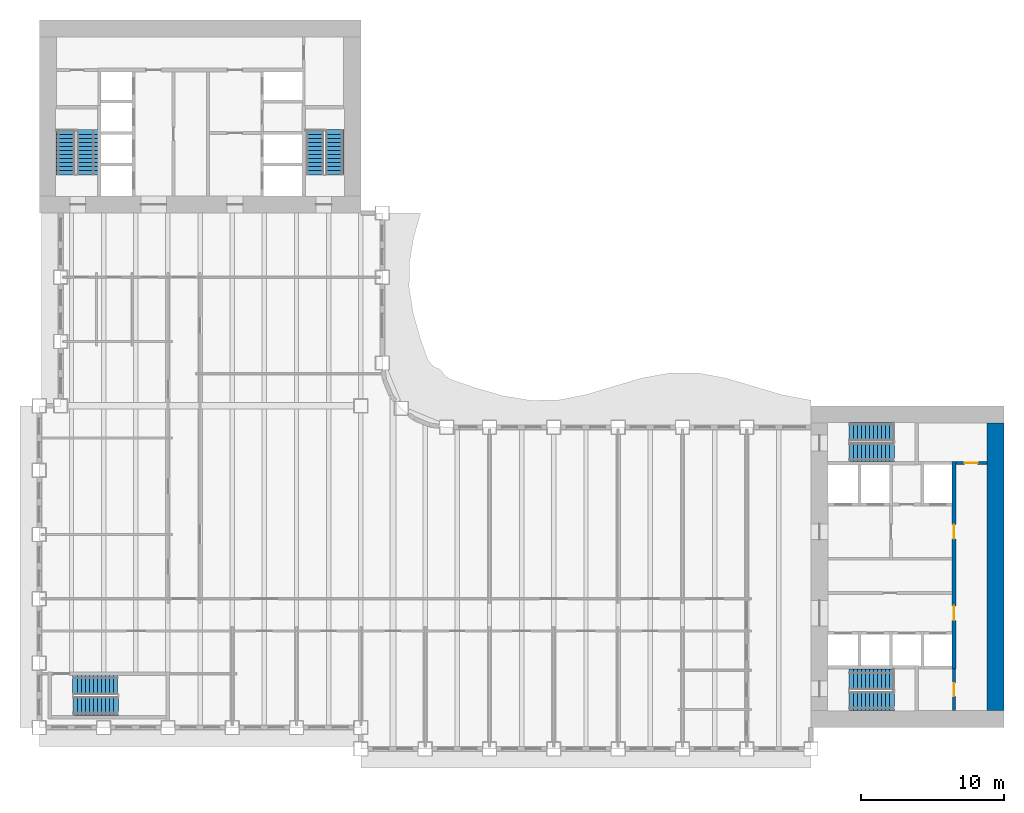
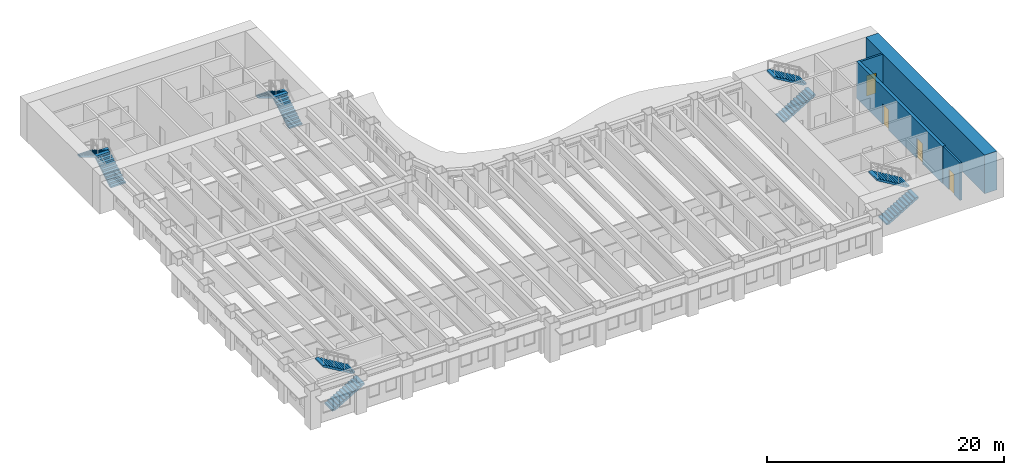
# One storey, part 10 of 16: 10 stair flights, 4 doors, 4 walls, 4 openings, 5 elements without a shape of their own.
"""IFC4 building model written with IfcOpenShell, lengths in metres."""

from ifc_helpers import new_model, si_unit, direction, frame, frame_2d, origin, place, context, subcontext, project, spatial, polyline, rectangle, outline, extrude, material, layer, layer_set, type_object, element, fill, aggregate, save


model = new_model("IFC4")

# Units and contexts
model_context = context("Model", 3, precision=1e-05, world=origin(), true_north=direction((0.0, 1.0)))
body_context = subcontext(model_context, "Body", "Model", "MODEL_VIEW")
ifc_project = project(units=[si_unit("LENGTHUNIT", "METRE"), si_unit("AREAUNIT", "SQUARE_METRE"), si_unit("VOLUMEUNIT", "CUBIC_METRE"), si_unit("PLANEANGLEUNIT", "RADIAN"), si_unit("MASSUNIT", "GRAM", prefix="KILO")], contexts=[model_context])

# Site, building, storey
site_placement = place(None, origin())
site = spatial("IfcSite", under=ifc_project, at=site_placement, CompositionType="ELEMENT")
building_placement = place(site_placement, origin())
building = spatial("IfcBuilding", under=site, at=building_placement, Name="Sennacour Bend Tower", CompositionType="ELEMENT")
storey_placement = place(building_placement, frame((0.0, 0.0, 107.0)))
storey = spatial("IfcBuildingStorey", under=building, at=storey_placement, Name="L24", CompositionType="ELEMENT", Elevation=107.0)

# Wall
ifc_material_1 = material(Name="Concrete C80/95", Category="concrete")
ifc_layer_1 = layer(ifc_material_1, 1.199951171875, Name="Concrete C80/95", Category="concrete")
ifc_layer_set_1 = layer_set([ifc_layer_1], Name="Concrete C80/95")
wall_type_1 = type_object("IfcWallType", Name="Core wall 1200 C80/95", PredefinedType="SHEAR", material=ifc_layer_set_1)
wall_1_placement = place(storey_placement, frame((66.89990234375, 1.199951171875, -0.14990234375), z_axis=(0.0, 0.0, 1.0), x_axis=(0.0, 1.0, 0.0)))
element("IfcWall", 1, at=wall_1_placement, inside=storey, type_object=wall_type_1, Name="Core A wall L24 E", PredefinedType="SHEAR", context=body_context, shape_type="SweptSolid", body=[
    extrude(rectangle(XDim=20.10009765625, YDim=1.199951171875, at=frame_2d((10.050048828125, 0.0))), origin(), (0.0, 0.0, 1.0), 4.0),
])

# Wall, opening, door
ifc_material_2 = material(Name="Fire-rated plasterboard partition on steel studs", Category="steel")
ifc_layer_2 = layer(ifc_material_2, 0.199951171875, Name="Fire-rated plasterboard partition on steel studs", Category="steel")
ifc_layer_set_2 = layer_set([ifc_layer_2], Name="Fire-rated plasterboard partition on steel studs")
wall_type_2 = type_object("IfcWallType", Name="Rated partition 200", PredefinedType="PARTITIONING", material=ifc_layer_set_2)
wall_2_placement = place(storey_placement, frame((64.0, 1.199951171875, 0.0), z_axis=(0.0, 0.0, 1.0), x_axis=(0.0, 1.0, 0.0)))
wall_2 = element("IfcWall", 2, at=wall_2_placement, inside=storey, type_object=wall_type_2, Name="P-L24-W044", PredefinedType="PARTITIONING", context=body_context, shape_type="SweptSolid", body=[
    extrude(rectangle(XDim=2.900146484375, YDim=0.199951171875, at=frame_2d((1.4501953125, 0.0))), origin(), (0.0, 0.0, 1.0), 3.85009765625),
])
opening_1_placement = place(wall_2_placement, frame((1.0, 0.0, 0.0)))
opening_1 = element("IfcOpeningElement", 3, at=opening_1_placement, cuts=wall_2, Name="Opening SV", PredefinedType="OPENING", context=body_context, shape_type="SweptSolid", body=[
    extrude(rectangle(XDim=0.89990234375, YDim=2.10009765625, at=frame_2d((0.449951171875, 1.050048828125))), frame((0.0, 0.10986328125, 0.0), z_axis=(0.0, -1.0, 0.0), x_axis=(1.0, 0.0, 0.0)), (0.0, 0.0, 1.0), 0.219970703125),
])
ifc_material_3 = material(Name="Painted steel", Category="steel")
door_type_1 = type_object("IfcDoorType", Name="DR-SERVICE-900", OperationType="NOTDEFINED", PredefinedType="DOOR", material=ifc_material_3)
door_1_placement = place(opening_1_placement, origin())
door_1 = element("IfcDoor", 4, at=door_1_placement, inside=storey, type_object=door_type_1, Name="Door", OperationType="SINGLE_SWING_LEFT", OverallHeight=2.10009765625, OverallWidth=0.89990234375, PredefinedType="DOOR", context=body_context, shape_type="SweptSolid", body=[
    extrude(rectangle(XDim=0.89990234375, YDim=2.10009765625, at=frame_2d((0.449951171875, 1.050048828125))), frame((0.0, 0.02490234375, 0.0), z_axis=(0.0, -1.0, 0.0), x_axis=(1.0, 0.0, 0.0)), (0.0, 0.0, 1.0), 0.050048828125),
])
fill(opening_1, door_1)

wall_3_placement = place(storey_placement, frame((64.14990234375, 18.5, 0.0), z_axis=(0.0, 0.0, 1.0), x_axis=(1.0, 0.0, 0.0)))
wall_3 = element("IfcWall", 5, at=wall_3_placement, inside=storey, type_object=wall_type_2, Name="P-L24-W067", PredefinedType="PARTITIONING", context=body_context, shape_type="SweptSolid", body=[
    extrude(rectangle(XDim=2.150146484375, YDim=0.199951171875, at=frame_2d((1.0751953125, 0.0))), origin(), (0.0, 0.0, 1.0), 3.85009765625),
])
opening_2_placement = place(wall_3_placement, frame((0.60009765625, 0.0, 0.0)))
opening_2 = element("IfcOpeningElement", 6, at=opening_2_placement, cuts=wall_3, Name="Opening SV", PredefinedType="OPENING", context=body_context, shape_type="SweptSolid", body=[
    extrude(rectangle(XDim=0.89990234375, YDim=2.10009765625, at=frame_2d((0.449951171875, 1.050048828125))), frame((0.0, 0.10986328125, 0.0), z_axis=(0.0, -1.0, 0.0), x_axis=(1.0, 0.0, 0.0)), (0.0, 0.0, 1.0), 0.219970703125),
])
door_2_placement = place(opening_2_placement, origin())
door_2 = element("IfcDoor", 7, at=door_2_placement, inside=storey, type_object=door_type_1, Name="Door", OperationType="SINGLE_SWING_LEFT", OverallHeight=2.10009765625, OverallWidth=0.89990234375, PredefinedType="DOOR", context=body_context, shape_type="SweptSolid", body=[
    extrude(rectangle(XDim=0.89990234375, YDim=2.10009765625, at=frame_2d((0.449951171875, 1.050048828125))), frame((0.0, 0.02490234375, 0.0), z_axis=(0.0, -1.0, 0.0), x_axis=(1.0, 0.0, 0.0)), (0.0, 0.0, 1.0), 0.050048828125),
])
fill(opening_2, door_2)

# Wall, openings, doors
ifc_material_4 = material(Name="Concrete C60/75", Category="concrete")
ifc_layer_3 = layer(ifc_material_4, 0.300048828125, Name="Concrete C60/75", Category="concrete")
ifc_layer_set_3 = layer_set([ifc_layer_3], Name="Concrete C60/75")
wall_type_3 = type_object("IfcWallType", Name="Spine wall 300", PredefinedType="SHEAR", material=ifc_layer_set_3)
wall_4_placement = place(storey_placement, frame((64.0, 4.10009765625, 0.0), z_axis=(0.0, 0.0, 1.0), x_axis=(0.0, 1.0, 0.0)))
wall_4 = element("IfcWall", 8, at=wall_4_placement, inside=storey, type_object=wall_type_3, Name="P-L24-W045", PredefinedType="SHEAR", context=body_context, shape_type="SweptSolid", body=[
    extrude(rectangle(XDim=14.5, YDim=0.300048828125, at=frame_2d((7.25, 0.0))), origin(), (0.0, 0.0, 1.0), 3.85009765625),
])
opening_3_placement = place(wall_4_placement, frame((3.39990234375, 0.0, 0.0)))
opening_3 = element("IfcOpeningElement", 9, at=opening_3_placement, cuts=wall_4, Name="Opening CD2", PredefinedType="OPENING", context=body_context, shape_type="SweptSolid", body=[
    extrude(rectangle(XDim=1.0, YDim=2.10009765625, at=frame_2d((0.5, 1.050048828125))), frame((0.0, 0.16015625, 0.0), z_axis=(0.0, -1.0, 0.0), x_axis=(1.0, 0.0, 0.0)), (0.0, 0.0, 1.0), 0.320068359375),
])
opening_4_placement = place(wall_4_placement, frame((9.099853515625, 0.0, 0.0)))
opening_4 = element("IfcOpeningElement", 10, at=opening_4_placement, cuts=wall_4, Name="Opening CD2", PredefinedType="OPENING", context=body_context, shape_type="SweptSolid", body=[
    extrude(rectangle(XDim=1.0, YDim=2.10009765625, at=frame_2d((0.5, 1.050048828125))), frame((0.0, 0.16015625, 0.0), z_axis=(0.0, -1.0, 0.0), x_axis=(1.0, 0.0, 0.0)), (0.0, 0.0, 1.0), 0.320068359375),
])
door_type_2 = type_object("IfcDoorType", Name="DR-LOBBY-1000", OperationType="NOTDEFINED", PredefinedType="DOOR", material=ifc_material_3)
door_3_placement = place(opening_3_placement, origin())
door_3 = element("IfcDoor", 11, at=door_3_placement, inside=storey, type_object=door_type_2, Name="Door", OperationType="SINGLE_SWING_LEFT", OverallHeight=2.10009765625, OverallWidth=1.0, PredefinedType="DOOR", context=body_context, shape_type="SweptSolid", body=[
    extrude(rectangle(XDim=1.0, YDim=2.10009765625, at=frame_2d((0.5, 1.050048828125))), frame((0.0, 0.02490234375, 0.0), z_axis=(0.0, -1.0, 0.0), x_axis=(1.0, 0.0, 0.0)), (0.0, 0.0, 1.0), 0.050048828125),
])
fill(opening_3, door_3)
door_4_placement = place(opening_4_placement, origin())
door_4 = element("IfcDoor", 12, at=door_4_placement, inside=storey, type_object=door_type_2, Name="Door", OperationType="SINGLE_SWING_RIGHT", OverallHeight=2.10009765625, OverallWidth=1.0, PredefinedType="DOOR", context=body_context, shape_type="SweptSolid", body=[
    extrude(rectangle(XDim=1.0, YDim=2.10009765625, at=frame_2d((0.5, 1.050048828125))), frame((0.0, 0.02490234375, 0.0), z_axis=(0.0, -1.0, 0.0), x_axis=(1.0, 0.0, 0.0)), (0.0, 0.0, 1.0), 0.050048828125),
])
fill(opening_4, door_4)

# Stair, stair flights
ifc_material_5 = material(Name="Concrete C40/50", Category="concrete")
stair_type = type_object("IfcStairType", Name="ST-DOGLEG", PredefinedType="HALF_TURN_STAIR", material=ifc_material_5)
stair_1_placement = place(storey_placement, origin())
stair_1 = element("IfcStair", 13, at=stair_1_placement, inside=storey, type_object=stair_type, Name="L24 Exit stair A1", PredefinedType="HALF_TURN_STAIR")
stair_flight_type = type_object("IfcStairFlightType", Name="SFL-RC", PredefinedType="STRAIGHT", material=ifc_material_5)
stair_flight_1_placement = place(storey_placement, frame((56.699951171875, 1.8349609375, 0.0), z_axis=(0.0, 0.0, 1.0), x_axis=(1.0, 0.0, 0.0)))
stair_flight_1 = element("IfcStairFlight", 14, at=stair_flight_1_placement, type_object=stair_flight_type, Name="SA1 flight 1", NumberOfRisers=12, NumberOfTreads=11, PredefinedType="STRAIGHT", RiserHeight=0.166666667, TreadLength=0.28, context=body_context, shape_type="SweptSolid", body=[
    extrude(outline(polyline([(0.0, 0.0), (0.0, 0.166748046875), (0.280029296875, 0.166748046875), (0.280029296875, 0.333251953125), (0.56005859375, 0.333251953125), (0.56005859375, 0.5), (0.840087890625, 0.5), (0.840087890625, 0.666748046875), (1.1201171875, 0.666748046875), (1.1201171875, 0.833251953125), (1.39990234375, 0.833251953125), (1.39990234375, 1.0), (1.679931640625, 1.0), (1.679931640625, 1.166748046875), (1.9599609375, 1.166748046875), (1.9599609375, 1.333251953125), (2.239990234375, 1.333251953125), (2.239990234375, 1.5), (2.52001953125, 1.5), (2.52001953125, 1.666748046875), (2.800048828125, 1.666748046875), (2.800048828125, 1.833251953125), (3.080078125, 1.833251953125), (3.139892578125, 1.833251953125), (3.139892578125, 1.658935546875), (3.080078125, 1.658935546875), (0.29296875, 0.0), (0.0, 0.0)])), frame((0.0, 0.6650390625, 0.0), z_axis=(0.0, -1.0, 0.0), x_axis=(1.0, 0.0, 0.0)), (0.0, 0.0, 1.0), 1.330078125),
])
stair_flight_2_placement = place(storey_placement, frame((59.780029296875, 3.37744140625, 2.0), z_axis=(0.0, 0.0, 1.0), x_axis=(-1.0, 0.0, 0.0)))
stair_flight_2 = element("IfcStairFlight", 15, at=stair_flight_2_placement, type_object=stair_flight_type, Name="SA1 flight 2", NumberOfRisers=12, NumberOfTreads=11, PredefinedType="STRAIGHT", RiserHeight=0.166666667, TreadLength=0.28, context=body_context, shape_type="SweptSolid", body=[
    extrude(outline(polyline([(0.0, 0.0), (0.0, 0.166748046875), (0.280029296875, 0.166748046875), (0.280029296875, 0.333251953125), (0.56005859375, 0.333251953125), (0.56005859375, 0.5), (0.840087890625, 0.5), (0.840087890625, 0.666748046875), (1.1201171875, 0.666748046875), (1.1201171875, 0.833251953125), (1.39990234375, 0.833251953125), (1.39990234375, 1.0), (1.679931640625, 1.0), (1.679931640625, 1.166748046875), (1.9599609375, 1.166748046875), (1.9599609375, 1.333251953125), (2.239990234375, 1.333251953125), (2.239990234375, 1.5), (2.52001953125, 1.5), (2.52001953125, 1.666748046875), (2.800048828125, 1.666748046875), (2.800048828125, 1.833251953125), (3.080078125, 1.833251953125), (3.139892578125, 1.833251953125), (3.139892578125, 1.658935546875), (3.080078125, 1.658935546875), (0.29296875, 0.0), (0.0, 0.0)])), frame((0.0, 0.7275390625, 0.0), z_axis=(0.0, -1.0, 0.0), x_axis=(1.0, 0.0, 0.0)), (0.0, 0.0, 1.0), 1.455078125),
])
aggregate(stair_1, [stair_flight_1, stair_flight_2])

stair_2_placement = place(storey_placement, origin())
stair_2 = element("IfcStair", 16, at=stair_2_placement, inside=storey, type_object=stair_type, Name="L24 Exit stair A2", PredefinedType="HALF_TURN_STAIR")
stair_flight_3_placement = place(storey_placement, frame((56.699951171875, 19.24755859375, 0.0), z_axis=(0.0, 0.0, 1.0), x_axis=(1.0, 0.0, 0.0)))
stair_flight_3 = element("IfcStairFlight", 17, at=stair_flight_3_placement, type_object=stair_flight_type, Name="SA2 flight 1", NumberOfRisers=12, NumberOfTreads=11, PredefinedType="STRAIGHT", RiserHeight=0.166666667, TreadLength=0.28, context=body_context, shape_type="SweptSolid", body=[
    extrude(outline(polyline([(0.0, 0.0), (0.0, 0.166748046875), (0.280029296875, 0.166748046875), (0.280029296875, 0.333251953125), (0.56005859375, 0.333251953125), (0.56005859375, 0.5), (0.840087890625, 0.5), (0.840087890625, 0.666748046875), (1.1201171875, 0.666748046875), (1.1201171875, 0.833251953125), (1.39990234375, 0.833251953125), (1.39990234375, 1.0), (1.679931640625, 1.0), (1.679931640625, 1.166748046875), (1.9599609375, 1.166748046875), (1.9599609375, 1.333251953125), (2.239990234375, 1.333251953125), (2.239990234375, 1.5), (2.52001953125, 1.5), (2.52001953125, 1.666748046875), (2.800048828125, 1.666748046875), (2.800048828125, 1.833251953125), (3.080078125, 1.833251953125), (3.139892578125, 1.833251953125), (3.139892578125, 1.658935546875), (3.080078125, 1.658935546875), (0.29296875, 0.0), (0.0, 0.0)])), frame((0.0, 0.65234375, 0.0), z_axis=(0.0, -1.0, 0.0), x_axis=(1.0, 0.0, 0.0)), (0.0, 0.0, 1.0), 1.304931640625),
])
stair_flight_4_placement = place(storey_placement, frame((59.780029296875, 20.68994140625, 2.0), z_axis=(0.0, 0.0, 1.0), x_axis=(-1.0, 0.0, 0.0)))
stair_flight_4 = element("IfcStairFlight", 18, at=stair_flight_4_placement, type_object=stair_flight_type, Name="SA2 flight 2", NumberOfRisers=12, NumberOfTreads=11, PredefinedType="STRAIGHT", RiserHeight=0.166666667, TreadLength=0.28, context=body_context, shape_type="SweptSolid", body=[
    extrude(outline(polyline([(0.0, 0.0), (0.0, 0.166748046875), (0.280029296875, 0.166748046875), (0.280029296875, 0.333251953125), (0.56005859375, 0.333251953125), (0.56005859375, 0.5), (0.840087890625, 0.5), (0.840087890625, 0.666748046875), (1.1201171875, 0.666748046875), (1.1201171875, 0.833251953125), (1.39990234375, 0.833251953125), (1.39990234375, 1.0), (1.679931640625, 1.0), (1.679931640625, 1.166748046875), (1.9599609375, 1.166748046875), (1.9599609375, 1.333251953125), (2.239990234375, 1.333251953125), (2.239990234375, 1.5), (2.52001953125, 1.5), (2.52001953125, 1.666748046875), (2.800048828125, 1.666748046875), (2.800048828125, 1.833251953125), (3.080078125, 1.833251953125), (3.139892578125, 1.833251953125), (3.139892578125, 1.658935546875), (3.080078125, 1.658935546875), (0.29296875, 0.0), (0.0, 0.0)])), frame((0.0, 0.64013671875, 0.0), z_axis=(0.0, -1.0, 0.0), x_axis=(1.0, 0.0, 0.0)), (0.0, 0.0, 1.0), 1.280029296875),
])
aggregate(stair_2, [stair_flight_3, stair_flight_4])

stair_3_placement = place(storey_placement, origin())
stair_3 = element("IfcStair", 19, at=stair_3_placement, inside=storey, type_object=stair_type, Name="L24 Exit stair B1", PredefinedType="HALF_TURN_STAIR")
stair_flight_5_placement = place(storey_placement, frame((3.37744140625, 38.699951171875, 0.0), z_axis=(0.0, 0.0, 1.0), x_axis=(0.0, 1.0, 0.0)))
stair_flight_5 = element("IfcStairFlight", 20, at=stair_flight_5_placement, type_object=stair_flight_type, Name="SB1 flight 1", NumberOfRisers=12, NumberOfTreads=11, PredefinedType="STRAIGHT", RiserHeight=0.166666667, TreadLength=0.28, context=body_context, shape_type="SweptSolid", body=[
    extrude(outline(polyline([(0.0, 0.0), (0.0, 0.166748046875), (0.280029296875, 0.166748046875), (0.280029296875, 0.333251953125), (0.56005859375, 0.333251953125), (0.56005859375, 0.5), (0.840087890625, 0.5), (0.840087890625, 0.666748046875), (1.1201171875, 0.666748046875), (1.1201171875, 0.833251953125), (1.39990234375, 0.833251953125), (1.39990234375, 1.0), (1.679931640625, 1.0), (1.679931640625, 1.166748046875), (1.9599609375, 1.166748046875), (1.9599609375, 1.333251953125), (2.239990234375, 1.333251953125), (2.239990234375, 1.5), (2.52001953125, 1.5), (2.52001953125, 1.666748046875), (2.800048828125, 1.666748046875), (2.800048828125, 1.833251953125), (3.080078125, 1.833251953125), (3.139892578125, 1.833251953125), (3.139892578125, 1.658935546875), (3.080078125, 1.658935546875), (0.29296875, 0.0), (0.0, 0.0)])), frame((0.0, 0.7275390625, 0.0), z_axis=(0.0, -1.0, 0.0), x_axis=(1.0, 0.0, 0.0)), (0.0, 0.0, 1.0), 1.455078125),
])
stair_flight_6_placement = place(storey_placement, frame((1.8349609375, 41.780029296875, 2.0), z_axis=(0.0, 0.0, 1.0), x_axis=(0.0, -1.0, 0.0)))
stair_flight_6 = element("IfcStairFlight", 21, at=stair_flight_6_placement, type_object=stair_flight_type, Name="SB1 flight 2", NumberOfRisers=12, NumberOfTreads=11, PredefinedType="STRAIGHT", RiserHeight=0.166666667, TreadLength=0.28, context=body_context, shape_type="SweptSolid", body=[
    extrude(outline(polyline([(0.0, 0.0), (0.0, 0.166748046875), (0.280029296875, 0.166748046875), (0.280029296875, 0.333251953125), (0.56005859375, 0.333251953125), (0.56005859375, 0.5), (0.840087890625, 0.5), (0.840087890625, 0.666748046875), (1.1201171875, 0.666748046875), (1.1201171875, 0.833251953125), (1.39990234375, 0.833251953125), (1.39990234375, 1.0), (1.679931640625, 1.0), (1.679931640625, 1.166748046875), (1.9599609375, 1.166748046875), (1.9599609375, 1.333251953125), (2.239990234375, 1.333251953125), (2.239990234375, 1.5), (2.52001953125, 1.5), (2.52001953125, 1.666748046875), (2.800048828125, 1.666748046875), (2.800048828125, 1.833251953125), (3.080078125, 1.833251953125), (3.139892578125, 1.833251953125), (3.139892578125, 1.658935546875), (3.080078125, 1.658935546875), (0.29296875, 0.0), (0.0, 0.0)])), frame((0.0, 0.6650390625, 0.0), z_axis=(0.0, -1.0, 0.0), x_axis=(1.0, 0.0, 0.0)), (0.0, 0.0, 1.0), 1.330078125),
])
aggregate(stair_3, [stair_flight_5, stair_flight_6])

stair_4_placement = place(storey_placement, origin())
stair_4 = element("IfcStair", 22, at=stair_4_placement, inside=storey, type_object=stair_type, Name="L24 Exit stair B2", PredefinedType="HALF_TURN_STAIR")
stair_flight_7_placement = place(storey_placement, frame((20.68994140625, 38.699951171875, 0.0), z_axis=(0.0, 0.0, 1.0), x_axis=(0.0, 1.0, 0.0)))
stair_flight_7 = element("IfcStairFlight", 23, at=stair_flight_7_placement, type_object=stair_flight_type, Name="SB2 flight 1", NumberOfRisers=12, NumberOfTreads=11, PredefinedType="STRAIGHT", RiserHeight=0.166666667, TreadLength=0.28, context=body_context, shape_type="SweptSolid", body=[
    extrude(outline(polyline([(0.0, 0.0), (0.0, 0.166748046875), (0.280029296875, 0.166748046875), (0.280029296875, 0.333251953125), (0.56005859375, 0.333251953125), (0.56005859375, 0.5), (0.840087890625, 0.5), (0.840087890625, 0.666748046875), (1.1201171875, 0.666748046875), (1.1201171875, 0.833251953125), (1.39990234375, 0.833251953125), (1.39990234375, 1.0), (1.679931640625, 1.0), (1.679931640625, 1.166748046875), (1.9599609375, 1.166748046875), (1.9599609375, 1.333251953125), (2.239990234375, 1.333251953125), (2.239990234375, 1.5), (2.52001953125, 1.5), (2.52001953125, 1.666748046875), (2.800048828125, 1.666748046875), (2.800048828125, 1.833251953125), (3.080078125, 1.833251953125), (3.139892578125, 1.833251953125), (3.139892578125, 1.658935546875), (3.080078125, 1.658935546875), (0.29296875, 0.0), (0.0, 0.0)])), frame((0.0, 0.64013671875, 0.0), z_axis=(0.0, -1.0, 0.0), x_axis=(1.0, 0.0, 0.0)), (0.0, 0.0, 1.0), 1.280029296875),
])
stair_flight_8_placement = place(storey_placement, frame((19.24755859375, 41.780029296875, 2.0), z_axis=(0.0, 0.0, 1.0), x_axis=(0.0, -1.0, 0.0)))
stair_flight_8 = element("IfcStairFlight", 24, at=stair_flight_8_placement, type_object=stair_flight_type, Name="SB2 flight 2", NumberOfRisers=12, NumberOfTreads=11, PredefinedType="STRAIGHT", RiserHeight=0.166666667, TreadLength=0.28, context=body_context, shape_type="SweptSolid", body=[
    extrude(outline(polyline([(0.0, 0.0), (0.0, 0.166748046875), (0.280029296875, 0.166748046875), (0.280029296875, 0.333251953125), (0.56005859375, 0.333251953125), (0.56005859375, 0.5), (0.840087890625, 0.5), (0.840087890625, 0.666748046875), (1.1201171875, 0.666748046875), (1.1201171875, 0.833251953125), (1.39990234375, 0.833251953125), (1.39990234375, 1.0), (1.679931640625, 1.0), (1.679931640625, 1.166748046875), (1.9599609375, 1.166748046875), (1.9599609375, 1.333251953125), (2.239990234375, 1.333251953125), (2.239990234375, 1.5), (2.52001953125, 1.5), (2.52001953125, 1.666748046875), (2.800048828125, 1.666748046875), (2.800048828125, 1.833251953125), (3.080078125, 1.833251953125), (3.139892578125, 1.833251953125), (3.139892578125, 1.658935546875), (3.080078125, 1.658935546875), (0.29296875, 0.0), (0.0, 0.0)])), frame((0.0, 0.65234375, 0.0), z_axis=(0.0, -1.0, 0.0), x_axis=(1.0, 0.0, 0.0)), (0.0, 0.0, 1.0), 1.304931640625),
])
aggregate(stair_4, [stair_flight_7, stair_flight_8])

stair_5_placement = place(storey_placement, origin())
stair_5 = element("IfcStair", 25, at=stair_5_placement, inside=storey, type_object=stair_type, Name="L24 Exit stair K1", PredefinedType="HALF_TURN_STAIR")
stair_flight_9_placement = place(storey_placement, frame((2.39990234375, 1.485107421875, 0.0), z_axis=(0.0, 0.0, 1.0), x_axis=(1.0, 0.0, 0.0)))
stair_flight_9 = element("IfcStairFlight", 26, at=stair_flight_9_placement, type_object=stair_flight_type, Name="SK1 flight 1", NumberOfRisers=12, NumberOfTreads=11, PredefinedType="STRAIGHT", RiserHeight=0.166666667, TreadLength=0.28, context=body_context, shape_type="SweptSolid", body=[
    extrude(outline(polyline([(0.0, 0.0), (0.0, 0.166748046875), (0.280029296875, 0.166748046875), (0.280029296875, 0.333251953125), (0.56005859375, 0.333251953125), (0.56005859375, 0.5), (0.840087890625, 0.5), (0.840087890625, 0.666748046875), (1.1201171875, 0.666748046875), (1.1201171875, 0.833251953125), (1.39990234375, 0.833251953125), (1.39990234375, 1.0), (1.679931640625, 1.0), (1.679931640625, 1.166748046875), (1.9599609375, 1.166748046875), (1.9599609375, 1.333251953125), (2.239990234375, 1.333251953125), (2.239990234375, 1.5), (2.52001953125, 1.5), (2.52001953125, 1.666748046875), (2.800048828125, 1.666748046875), (2.800048828125, 1.833251953125), (3.080078125, 1.833251953125), (3.139892578125, 1.833251953125), (3.139892578125, 1.658935546875), (3.080078125, 1.658935546875), (0.29296875, 0.0), (0.0, 0.0)])), frame((0.0, 0.6650390625, 0.0), z_axis=(0.0, -1.0, 0.0), x_axis=(1.0, 0.0, 0.0)), (0.0, 0.0, 1.0), 1.330078125),
])
stair_flight_10_placement = place(storey_placement, frame((5.47998046875, 2.9775390625, 2.0), z_axis=(0.0, 0.0, 1.0), x_axis=(-1.0, 0.0, 0.0)))
stair_flight_10 = element("IfcStairFlight", 27, at=stair_flight_10_placement, type_object=stair_flight_type, Name="SK1 flight 2", NumberOfRisers=12, NumberOfTreads=11, PredefinedType="STRAIGHT", RiserHeight=0.166666667, TreadLength=0.28, context=body_context, shape_type="SweptSolid", body=[
    extrude(outline(polyline([(0.0, 0.0), (0.0, 0.166748046875), (0.280029296875, 0.166748046875), (0.280029296875, 0.333251953125), (0.56005859375, 0.333251953125), (0.56005859375, 0.5), (0.840087890625, 0.5), (0.840087890625, 0.666748046875), (1.1201171875, 0.666748046875), (1.1201171875, 0.833251953125), (1.39990234375, 0.833251953125), (1.39990234375, 1.0), (1.679931640625, 1.0), (1.679931640625, 1.166748046875), (1.9599609375, 1.166748046875), (1.9599609375, 1.333251953125), (2.239990234375, 1.333251953125), (2.239990234375, 1.5), (2.52001953125, 1.5), (2.52001953125, 1.666748046875), (2.800048828125, 1.666748046875), (2.800048828125, 1.833251953125), (3.080078125, 1.833251953125), (3.139892578125, 1.833251953125), (3.139892578125, 1.658935546875), (3.080078125, 1.658935546875), (0.29296875, 0.0), (0.0, 0.0)])), frame((0.0, 0.677490234375, 0.0), z_axis=(0.0, -1.0, 0.0), x_axis=(1.0, 0.0, 0.0)), (0.0, 0.0, 1.0), 1.35498046875),
])
aggregate(stair_5, [stair_flight_9, stair_flight_10])

save(model, "model.ifc")
